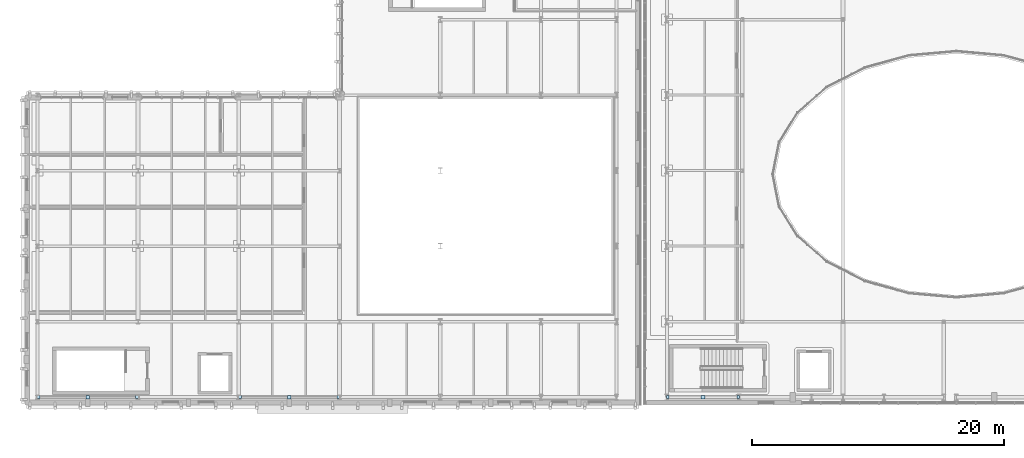
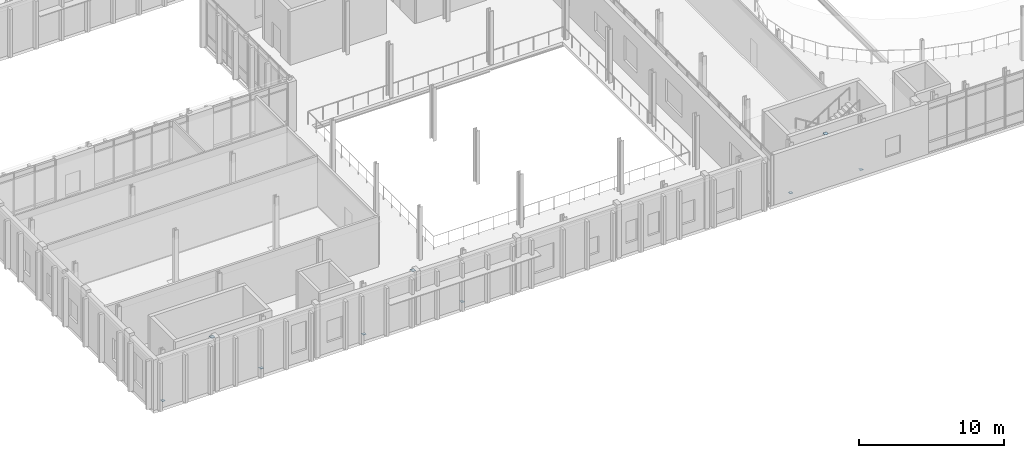
# One storey, part 62 of 100: 9 plates.
"""IFC4 building model written with IfcOpenShell, lengths in metres."""

from ifc_helpers import new_model, si_unit, direction, frame, origin, origin_2d, place, context, subcontext, project, spatial, rectangle, extrude, material, layer, layer_set, type_object, element, save


model = new_model("IFC4")

# Units and contexts
model_context = context("Model", 3, precision=1e-05, world=origin(), true_north=direction((0.0, 1.0)))
body_context = subcontext(model_context, "Body", "Model", "MODEL_VIEW")
ifc_project = project(units=[si_unit("LENGTHUNIT", "METRE"), si_unit("AREAUNIT", "SQUARE_METRE"), si_unit("VOLUMEUNIT", "CUBIC_METRE"), si_unit("PLANEANGLEUNIT", "RADIAN"), si_unit("MASSUNIT", "GRAM", prefix="KILO")], contexts=[model_context])

# Site, building, storey
site_placement = place(None, origin())
site = spatial("IfcSite", under=ifc_project, at=site_placement, CompositionType="ELEMENT")
building_placement = place(site_placement, origin())
building = spatial("IfcBuilding", under=site, at=building_placement, Name="Cymarion Research Institute", CompositionType="ELEMENT")
storey_placement = place(building_placement, frame((0.0, 0.0, 9.300048828125)))
storey = spatial("IfcBuildingStorey", under=building, at=storey_placement, Name="L02", CompositionType="ELEMENT", Elevation=9.300048828125)

# Plates
ifc_material = material(Name="Steel S355", Category="steel")
ifc_layer_1 = layer(ifc_material, 0.01806640625)
ifc_layer_set_1 = layer_set([ifc_layer_1], Name="Steel S355")
plate_type_1 = type_object("IfcPlateType", Name="STEEL NODE GUSSET PLATE CP01 18MM", PredefinedType="USERDEFINED", material=ifc_layer_set_1)
for number, where, z_axis, x_axis, name in (
    (1, (59.47509765625, 5.5, 4.100830078125), (0.0, 0.0, 1.0), (1.0, 0.0, 0.0), "L02 V2 chevron apex gusset plate"),
    (2, (10.60009765625, 5.5, 4.100830078125), (0.0, 0.0, 1.0), (1.0, 0.0, 0.0), "L02 V3 chevron apex gusset plate"),
    (3, (26.60009765625, 5.5, 4.100830078125), (0.0, 0.0, 1.0), (1.0, 0.0, 0.0), "L02 V3 chevron apex gusset plate"),
):
    element("IfcPlate", number, at=place(storey_placement, frame(where, z_axis=z_axis, x_axis=x_axis)), inside=storey, type_object=plate_type_1, Name=name, ObjectType="GUSSET PLATE", PredefinedType="USERDEFINED", context=body_context, shape_type="SweptSolid", body=[
        extrude(rectangle(XDim=0.300048828125, YDim=0.300048828125, at=origin_2d()), origin(), (0.0, 0.0, 1.0), 0.01806640625),
    ])
ifc_layer_2 = layer(ifc_material, 0.011962890625)
ifc_layer_set_2 = layer_set([ifc_layer_2], Name="Steel S355")
plate_type_2 = type_object("IfcPlateType", Name="STEEL NODE GUSSET PLATE CP02 12MM", PredefinedType="USERDEFINED", material=ifc_layer_set_2)
for number, where, z_axis, x_axis, name in (
    (4, (56.670166015625, 5.5, 0.11376953125), (0.0, 0.0, 1.0), (1.0, 0.0, 0.0), "L02 V2 chevron base gusset plate #1"),
    (5, (62.27978515625, 5.5, 0.11376953125), (0.0, 0.0, 1.0), (1.0, 0.0, 0.0), "L02 V2 chevron base gusset plate #2"),
    (6, (6.68505859375, 5.5, 0.11376953125), (0.0, 0.0, 1.0), (1.0, 0.0, 0.0), "L02 V3 chevron base gusset plate #1"),
    (7, (14.514892578125, 5.5, 0.11376953125), (0.0, 0.0, 1.0), (1.0, 0.0, 0.0), "L02 V3 chevron base gusset plate #2"),
    (8, (22.68505859375, 5.5, 0.11376953125), (0.0, 0.0, 1.0), (1.0, 0.0, 0.0), "L02 V3 chevron base gusset plate #1"),
    (9, (30.514892578125, 5.5, 0.11376953125), (0.0, 0.0, 1.0), (1.0, 0.0, 0.0), "L02 V3 chevron base gusset plate #2"),
):
    element("IfcPlate", number, at=place(storey_placement, frame(where, z_axis=z_axis, x_axis=x_axis)), inside=storey, type_object=plate_type_2, Name=name, ObjectType="GUSSET PLATE", PredefinedType="USERDEFINED", context=body_context, shape_type="SweptSolid", body=[
        extrude(rectangle(XDim=0.239990234375, YDim=0.239990234375, at=origin_2d()), origin(), (0.0, 0.0, 1.0), 0.011962890625),
    ])

save(model, "model.ifc")
